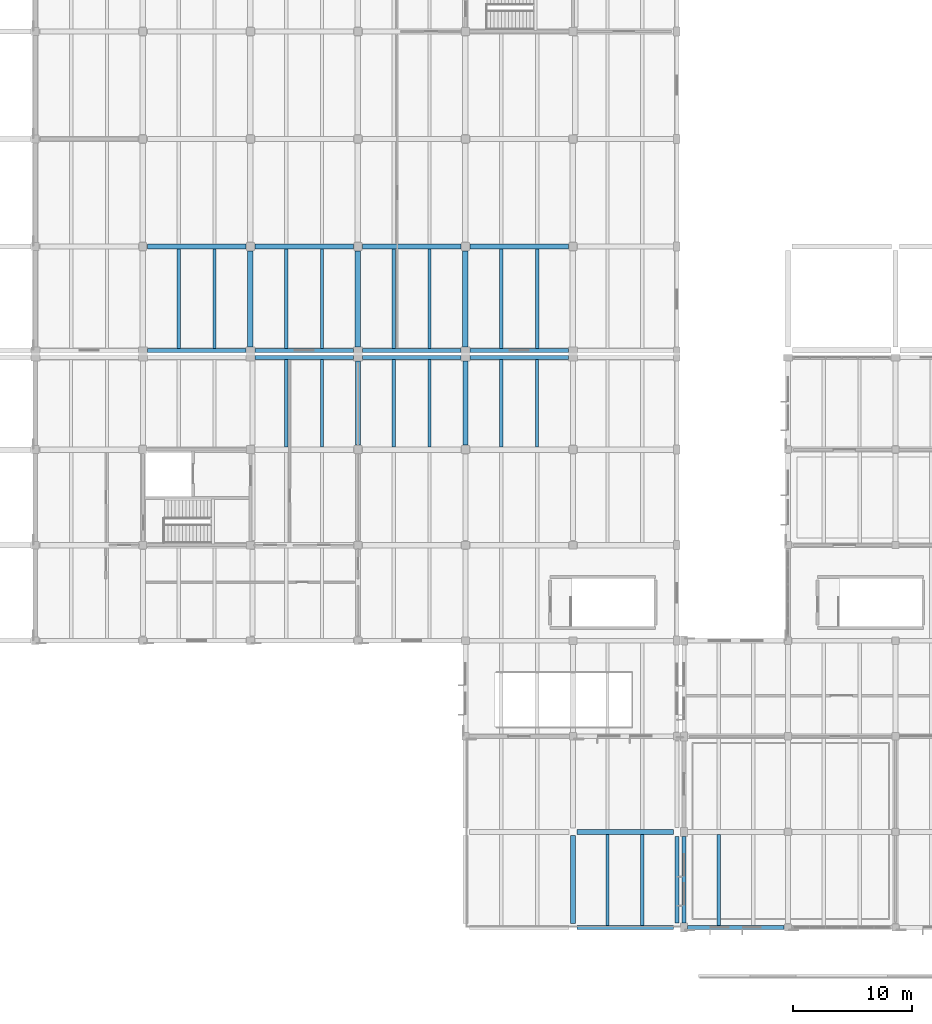
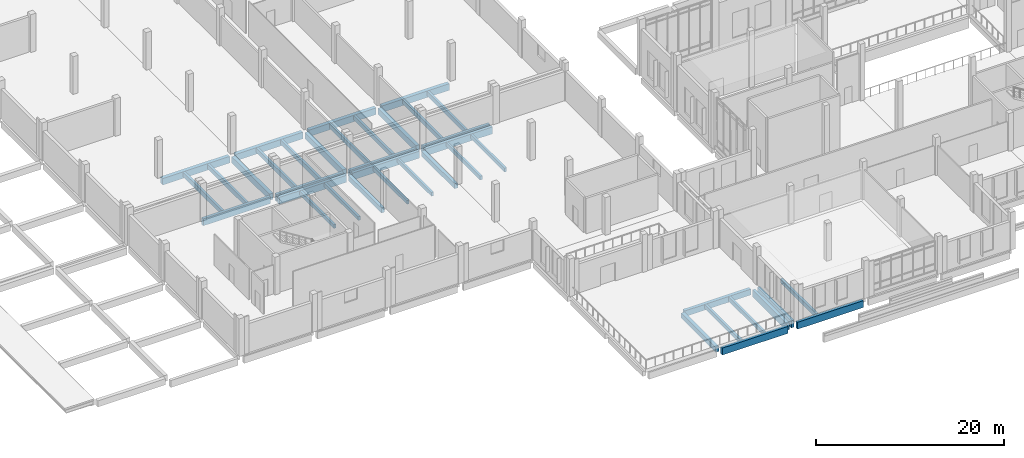
# One storey, part 12 of 110: 39 beams.
"""IFC4 building model written with IfcOpenShell, lengths in metres."""

from ifc_helpers import new_model, si_unit, direction, frame, origin, origin_2d, place, context, subcontext, project, spatial, rectangle, extrude, material, material_profile, profile_set, type_object, element, save


model = new_model("IFC4")

# Units and contexts
model_context = context("Model", 3, precision=1e-05, world=origin(), true_north=direction((0.0, 1.0)))
body_context = subcontext(model_context, "Body", "Model", "MODEL_VIEW")
ifc_project = project(units=[si_unit("LENGTHUNIT", "METRE"), si_unit("AREAUNIT", "SQUARE_METRE"), si_unit("VOLUMEUNIT", "CUBIC_METRE"), si_unit("PLANEANGLEUNIT", "RADIAN"), si_unit("MASSUNIT", "GRAM", prefix="KILO")], contexts=[model_context])

# Site, building, storey
site_placement = place(None, origin())
site = spatial("IfcSite", under=ifc_project, at=site_placement, CompositionType="ELEMENT")
building_placement = place(site_placement, origin())
building = spatial("IfcBuilding", under=site, at=building_placement, Name="Zacnel Wholesale Market", CompositionType="ELEMENT")
storey_placement = place(building_placement, frame((0.0, 0.0, 6.300048828125)))
storey = spatial("IfcBuildingStorey", under=building, at=storey_placement, Name="L02", CompositionType="ELEMENT", Elevation=6.300048828125)

# Beams
ifc_material_1 = material(Name="Precast concrete C45/55", Category="concrete")
ifc_material_profile_1 = material_profile(ifc_material_1, rectangle(XDim=0.280029296875, YDim=0.550048828125, at=origin_2d()), Name="DT RIB 280x550")
ifc_profile_set_1 = profile_set([ifc_material_profile_1], Name="Precast concrete C45/55")
beam_type_1 = type_object("IfcBeamType", Name="BM-DT550", PredefinedType="JOIST", material=ifc_profile_set_1)
for number, where, z_axis, x_axis, name in (
    (1, (65.89990234375, 0.175048828125, -0.695068359375), (0.0, 1.0, 0.0), (-1.0, 0.0, 0.0), "Precast secondary joist L02-0003"),
    (2, (68.800048828125, 0.175048828125, -0.695068359375), (0.0, 1.0, 0.0), (-1.0, 0.0, 0.0), "Precast secondary joist L02-0004"),
    (3, (75.199951171875, 0.175048828125, -0.574951171875), (0.0, 1.0, 0.0), (-1.0, 0.0, 0.0), "Precast secondary joist L02-0005"),
):
    element("IfcBeam", number, at=place(storey_placement, frame(where, z_axis=z_axis, x_axis=x_axis)), inside=storey, type_object=beam_type_1, Name=name, PredefinedType="JOIST", context=body_context, shape_type="SweptSolid", body=[
        extrude(rectangle(XDim=0.280029296875, YDim=0.550048828125, at=origin_2d()), origin(), (0.0, 0.0, 1.0), 7.625),
    ])
ifc_material_2 = material(Name="Precast concrete C45/55", Category="concrete")
ifc_material_profile_2 = material_profile(ifc_material_2, rectangle(XDim=0.280029296875, YDim=0.60009765625, at=origin_2d()), Name="DT RIB 280x600")
ifc_profile_set_2 = profile_set([ifc_material_profile_2], Name="Precast concrete C45/55")
beam_type_2 = type_object("IfcBeamType", Name="BM-DT600", PredefinedType="JOIST", material=ifc_profile_set_2)
for number, where, z_axis, x_axis, name in (
    (4, (30.0, 48.47509765625, -0.6201171875), (0.0, 1.0, 0.0), (-1.0, 0.0, 0.0), "Precast secondary joist L02-0187"),
    (5, (33.0, 48.47509765625, -0.6201171875), (0.0, 1.0, 0.0), (-1.0, 0.0, 0.0), "Precast secondary joist L02-0188"),
    (6, (39.0, 48.47509765625, -0.6201171875), (0.0, 1.0, 0.0), (-1.0, 0.0, 0.0), "Precast secondary joist L02-0189"),
    (7, (42.0, 48.47509765625, -0.6201171875), (0.0, 1.0, 0.0), (-1.0, 0.0, 0.0), "Precast secondary joist L02-0190"),
    (8, (48.0, 48.47509765625, -0.6201171875), (0.0, 1.0, 0.0), (-1.0, 0.0, 0.0), "Precast secondary joist L02-0191"),
    (9, (51.0, 48.47509765625, -0.6201171875), (0.0, 1.0, 0.0), (-1.0, 0.0, 0.0), "Precast secondary joist L02-0192"),
    (10, (57.0, 48.47509765625, -0.6201171875), (0.0, 1.0, 0.0), (-1.0, 0.0, 0.0), "Precast secondary joist L02-0193"),
    (11, (60.0, 48.47509765625, -0.6201171875), (0.0, 1.0, 0.0), (-1.0, 0.0, 0.0), "Precast secondary joist L02-0194"),
):
    element("IfcBeam", number, at=place(storey_placement, frame(where, z_axis=z_axis, x_axis=x_axis)), inside=storey, type_object=beam_type_2, Name=name, PredefinedType="JOIST", context=body_context, shape_type="SweptSolid", body=[
        extrude(rectangle(XDim=0.280029296875, YDim=0.60009765625, at=origin_2d()), origin(), (0.0, 0.0, 1.0), 8.2998046875),
    ])
ifc_material_3 = material(Name="Precast concrete C45/55", Category="concrete")
ifc_material_profile_3 = material_profile(ifc_material_3, rectangle(XDim=0.39990234375, YDim=0.64990234375, at=origin_2d()), Name="PG 400x650")
ifc_profile_set_3 = profile_set([ifc_material_profile_3], Name="Precast concrete C45/55")
beam_type_3 = type_object("IfcBeamType", Name="BM-PG650", PredefinedType="BEAM", material=ifc_profile_set_3)
for number, where, z_axis, x_axis, name in (
    (12, (45.0, 40.375, -0.64501953125), (0.0, 1.0, 0.0), (-1.0, 0.0, 0.0), "Precast girder Y-0362"),
    (13, (54.0, 40.375, -0.64501953125), (0.0, 1.0, 0.0), (-1.0, 0.0, 0.0), "Precast girder Y-0377"),
):
    element("IfcBeam", number, at=place(storey_placement, frame(where, z_axis=z_axis, x_axis=x_axis)), inside=storey, type_object=beam_type_3, Name=name, PredefinedType="BEAM", context=body_context, shape_type="SweptSolid", body=[
        extrude(rectangle(XDim=0.39990234375, YDim=0.64990234375, at=origin_2d()), origin(), (0.0, 0.0, 1.0), 7.050048828125),
    ])
beam_1_placement = place(storey_placement, frame((63.0, 0.324951171875, -0.7451171875), z_axis=(0.0, 1.0, 0.0), x_axis=(-1.0, 0.0, 0.0)))
element("IfcBeam", 14, at=beam_1_placement, inside=storey, type_object=beam_type_3, Name="Precast girder Y-0387", PredefinedType="BEAM", context=body_context, shape_type="SweptSolid", body=[
    extrude(rectangle(XDim=0.39990234375, YDim=0.64990234375, at=origin_2d()), origin(), (0.0, 0.0, 1.0), 7.35009765625),
])
ifc_material_4 = material(Name="Precast concrete C45/55", Category="concrete")
ifc_material_profile_4 = material_profile(ifc_material_4, rectangle(XDim=0.39990234375, YDim=0.75, at=origin_2d()), Name="PG 400x750")
ifc_profile_set_4 = profile_set([ifc_material_profile_4], Name="Precast concrete C45/55")
beam_type_4 = type_object("IfcBeamType", Name="BM-PG750", PredefinedType="BEAM", material=ifc_profile_set_4)
beam_2_placement = place(storey_placement, frame((63.324951171875, 8.0, -0.795166015625), z_axis=(1.0, 0.0, 0.0), x_axis=(0.0, 1.0, 0.0)))
element("IfcBeam", 15, at=beam_2_placement, inside=storey, type_object=beam_type_4, Name="Precast girder X-0015", PredefinedType="BEAM", context=body_context, shape_type="SweptSolid", body=[
    extrude(rectangle(XDim=0.39990234375, YDim=0.75, at=origin_2d()), origin(), (0.0, 0.0, 1.0), 8.10009765625),
])
ifc_material_5 = material(Name="Precast concrete C45/55", Category="concrete")
ifc_material_profile_5 = material_profile(ifc_material_5, rectangle(XDim=0.449951171875, YDim=0.800048828125, at=origin_2d()), Name="PG 450x800")
ifc_profile_set_5 = profile_set([ifc_material_profile_5], Name="Precast concrete C45/55")
beam_type_5 = type_object("IfcBeamType", Name="BM-PG800", PredefinedType="BEAM", material=ifc_profile_set_5)
for number, where, z_axis, x_axis, name in (
    (16, (36.0, 48.574951171875, -0.719970703125), (0.0, 1.0, 0.0), (-1.0, 0.0, 0.0), "Precast girder Y-0351"),
    (17, (45.0, 48.574951171875, -0.719970703125), (0.0, 1.0, 0.0), (-1.0, 0.0, 0.0), "Precast girder Y-0363"),
    (18, (54.0, 48.574951171875, -0.719970703125), (0.0, 1.0, 0.0), (-1.0, 0.0, 0.0), "Precast girder Y-0378"),
):
    element("IfcBeam", number, at=place(storey_placement, frame(where, z_axis=z_axis, x_axis=x_axis)), inside=storey, type_object=beam_type_5, Name=name, PredefinedType="BEAM", context=body_context, shape_type="SweptSolid", body=[
        extrude(rectangle(XDim=0.449951171875, YDim=0.800048828125, at=origin_2d()), origin(), (0.0, 0.0, 1.0), 8.050048828125),
    ])
ifc_material_6 = material(Name="Precast concrete C45/55", Category="concrete")
ifc_material_profile_6 = material_profile(ifc_material_6, rectangle(XDim=0.449951171875, YDim=0.85009765625, at=origin_2d()), Name="PG 450x850")
ifc_profile_set_6 = profile_set([ifc_material_profile_6], Name="Precast concrete C45/55")
beam_type_6 = type_object("IfcBeamType", Name="BM-PG850", PredefinedType="BEAM", material=ifc_profile_set_6)
for number, where, z_axis, x_axis, name in (
    (19, (27.375, 57.0, -0.7451171875), (1.0, 0.0, 0.0), (0.0, 1.0, 0.0), "Precast girder X-0158"),
    (20, (36.375, 57.0, -0.7451171875), (1.0, 0.0, 0.0), (0.0, 1.0, 0.0), "Precast girder X-0159"),
    (21, (45.375, 57.0, -0.7451171875), (1.0, 0.0, 0.0), (0.0, 1.0, 0.0), "Precast girder X-0160"),
    (22, (54.375, 57.0, -0.7451171875), (1.0, 0.0, 0.0), (0.0, 1.0, 0.0), "Precast girder X-0161"),
):
    element("IfcBeam", number, at=place(storey_placement, frame(where, z_axis=z_axis, x_axis=x_axis)), inside=storey, type_object=beam_type_6, Name=name, PredefinedType="BEAM", context=body_context, shape_type="SweptSolid", body=[
        extrude(rectangle(XDim=0.449951171875, YDim=0.85009765625, at=origin_2d()), origin(), (0.0, 0.0, 1.0), 8.25),
    ])
ifc_material_7 = material(Name="Precast concrete C45/55", Category="concrete")
ifc_material_profile_7 = material_profile(ifc_material_7, rectangle(XDim=0.260009765625, YDim=0.5, at=origin_2d()), Name="PJ 260x500")
ifc_profile_set_7 = profile_set([ifc_material_profile_7], Name="Precast concrete C45/55")
beam_type_7 = type_object("IfcBeamType", Name="BM-PJ500", PredefinedType="HOLLOWCORE", material=ifc_profile_set_7)
for number, where, z_axis, x_axis, name in (
    (23, (39.0, 40.22509765625, -0.570068359375), (0.0, 1.0, 0.0), (-1.0, 0.0, 0.0), "Precast secondary joist L02-0153"),
    (24, (42.0, 40.22509765625, -0.570068359375), (0.0, 1.0, 0.0), (-1.0, 0.0, 0.0), "Precast secondary joist L02-0154"),
    (25, (48.0, 40.22509765625, -0.570068359375), (0.0, 1.0, 0.0), (-1.0, 0.0, 0.0), "Precast secondary joist L02-0155"),
    (26, (51.0, 40.22509765625, -0.570068359375), (0.0, 1.0, 0.0), (-1.0, 0.0, 0.0), "Precast secondary joist L02-0156"),
    (27, (57.0, 40.22509765625, -0.570068359375), (0.0, 1.0, 0.0), (-1.0, 0.0, 0.0), "Precast secondary joist L02-0157"),
    (28, (60.0, 40.22509765625, -0.570068359375), (0.0, 1.0, 0.0), (-1.0, 0.0, 0.0), "Precast secondary joist L02-0158"),
):
    element("IfcBeam", number, at=place(storey_placement, frame(where, z_axis=z_axis, x_axis=x_axis)), inside=storey, type_object=beam_type_7, Name=name, PredefinedType="HOLLOWCORE", context=body_context, shape_type="SweptSolid", body=[
        extrude(rectangle(XDim=0.260009765625, YDim=0.5, at=origin_2d()), origin(), (0.0, 0.0, 1.0), 7.2998046875),
    ])
ifc_material_8 = material(Name="Precast concrete C45/55", Category="concrete")
ifc_material_profile_8 = material_profile(ifc_material_8, rectangle(XDim=0.35009765625, YDim=0.89990234375, at=origin_2d()), Name="SP 350x900")
ifc_profile_set_8 = profile_set([ifc_material_profile_8], Name="Precast concrete C45/55")
beam_type_8 = type_object("IfcBeamType", Name="BM-SP900", PredefinedType="SPANDREL", material=ifc_profile_set_8)
for number, where, z_axis, x_axis, name in (
    (29, (63.324951171875, 0.0, -0.8701171875), (1.0, 0.0, 0.0), (0.0, 1.0, 0.0), "Precast girder X-0002"),
    (30, (72.574951171875, 0.0, -0.75), (1.0, 0.0, 0.0), (0.0, 1.0, 0.0), "Precast girder X-0003"),
):
    element("IfcBeam", number, at=place(storey_placement, frame(where, z_axis=z_axis, x_axis=x_axis)), inside=storey, type_object=beam_type_8, Name=name, PredefinedType="SPANDREL", context=body_context, shape_type="SweptSolid", body=[
        extrude(rectangle(XDim=0.35009765625, YDim=0.89990234375, at=origin_2d()), origin(), (0.0, 0.0, 1.0), 8.10009765625),
    ])
for number, where, z_axis, x_axis, name in (
    (31, (36.375, 47.699951171875, -0.77001953125), (1.0, 0.0, 0.0), (0.0, 1.0, 0.0), "Precast girder X-0119"),
    (32, (45.375, 47.699951171875, -0.77001953125), (1.0, 0.0, 0.0), (0.0, 1.0, 0.0), "Precast girder X-0120"),
    (33, (54.375, 47.699951171875, -0.77001953125), (1.0, 0.0, 0.0), (0.0, 1.0, 0.0), "Precast girder X-0121"),
    (34, (27.375, 48.300048828125, -0.77001953125), (1.0, 0.0, 0.0), (0.0, 1.0, 0.0), "Precast girder X-0140"),
    (35, (36.375, 48.300048828125, -0.77001953125), (1.0, 0.0, 0.0), (0.0, 1.0, 0.0), "Precast girder X-0141"),
    (36, (45.375, 48.300048828125, -0.77001953125), (1.0, 0.0, 0.0), (0.0, 1.0, 0.0), "Precast girder X-0142"),
    (37, (54.375, 48.300048828125, -0.77001953125), (1.0, 0.0, 0.0), (0.0, 1.0, 0.0), "Precast girder X-0143"),
):
    element("IfcBeam", number, at=place(storey_placement, frame(where, z_axis=z_axis, x_axis=x_axis)), inside=storey, type_object=beam_type_8, Name=name, PredefinedType="SPANDREL", context=body_context, shape_type="SweptSolid", body=[
        extrude(rectangle(XDim=0.35009765625, YDim=0.89990234375, at=origin_2d()), origin(), (0.0, 0.0, 1.0), 8.25),
    ])
for number, where, z_axis, x_axis, name in (
    (38, (71.699951171875, 0.375, -0.8701171875), (0.0, 1.0, 0.0), (-1.0, 0.0, 0.0), "Precast girder Y-0401"),
    (39, (72.300048828125, 0.375, -0.75), (0.0, 1.0, 0.0), (-1.0, 0.0, 0.0), "Precast girder Y-0416"),
):
    element("IfcBeam", number, at=place(storey_placement, frame(where, z_axis=z_axis, x_axis=x_axis)), inside=storey, type_object=beam_type_8, Name=name, PredefinedType="SPANDREL", context=body_context, shape_type="SweptSolid", body=[
        extrude(rectangle(XDim=0.35009765625, YDim=0.89990234375, at=origin_2d()), origin(), (0.0, 0.0, 1.0), 7.25),
    ])

save(model, "model.ifc")
